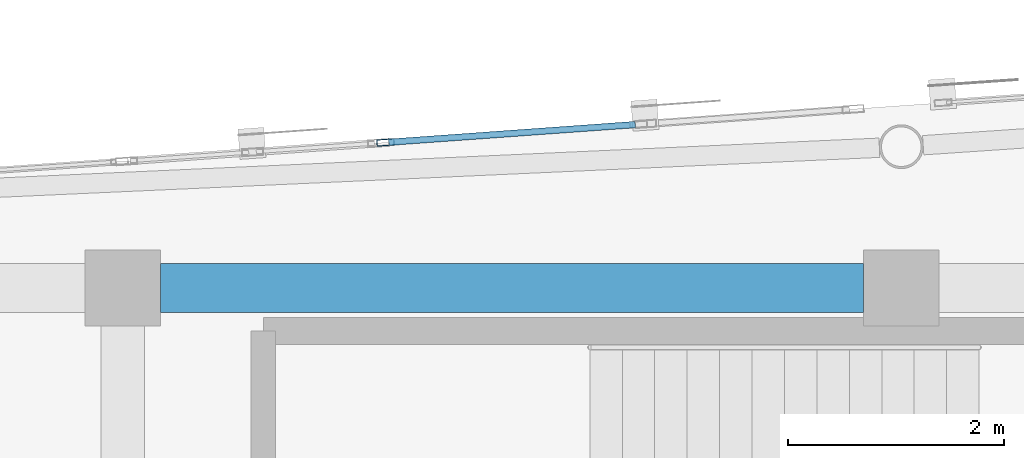
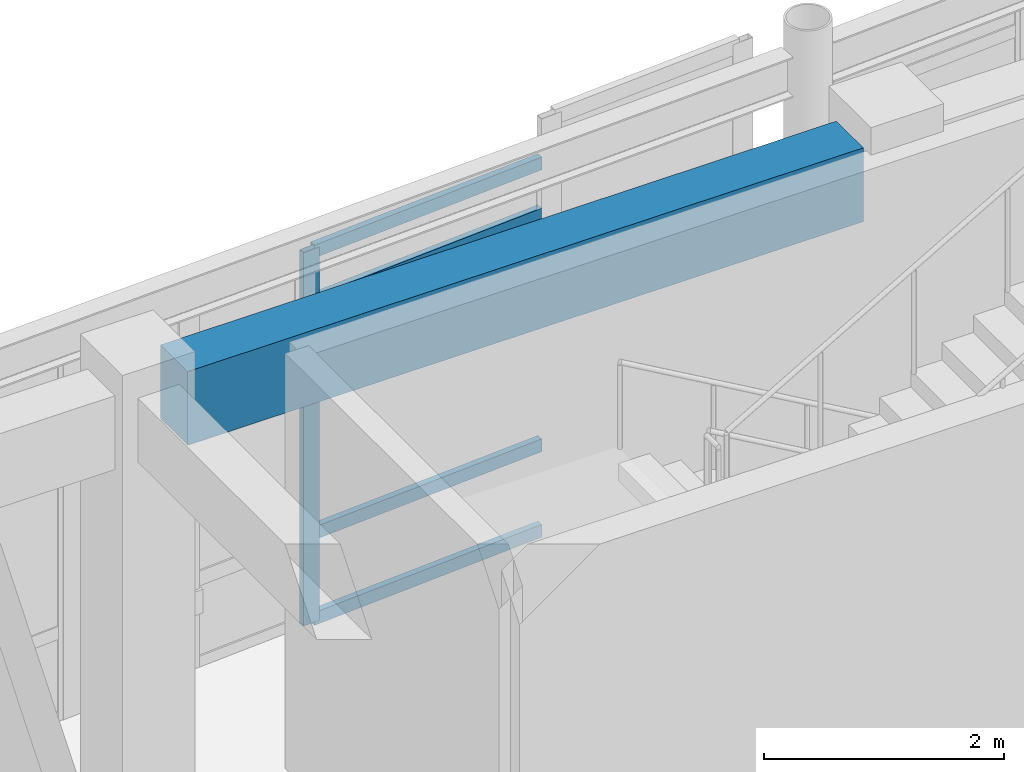
# One storey, part 30 of 106: 5 members, 1 beam, 1 element without a shape of its own.
"""IFC4 building model written with IfcOpenShell, lengths in metres."""

from ifc_helpers import new_model, si_unit, direction, frame, origin, origin_2d, place, context, subcontext, project, spatial, rectangle, hollow_rectangle, extrude, material, layer, layer_set, material_profile, profile_set, type_object, element, aggregate, save


model = new_model("IFC4")

# Units and contexts
model_context = context("Model", 3, precision=1e-05, world=origin(), true_north=direction((0.0, 1.0)))
body_context = subcontext(model_context, "Body", "Model", "MODEL_VIEW")
ifc_project = project(units=[si_unit("LENGTHUNIT", "METRE"), si_unit("AREAUNIT", "SQUARE_METRE"), si_unit("VOLUMEUNIT", "CUBIC_METRE"), si_unit("PLANEANGLEUNIT", "RADIAN"), si_unit("MASSUNIT", "GRAM", prefix="KILO")], contexts=[model_context])

# Site, building, storey
site_placement = place(None, origin())
site = spatial("IfcSite", under=ifc_project, at=site_placement, CompositionType="ELEMENT")
building_placement = place(site_placement, origin())
building = spatial("IfcBuilding", under=site, at=building_placement, Name="Carrowvane Square Congress Hotel", CompositionType="ELEMENT")
storey_placement = place(building_placement, frame((0.0, 0.0, 10.5)))
storey = spatial("IfcBuildingStorey", under=building, at=storey_placement, Name="L02", CompositionType="ELEMENT", Elevation=10.5)

# Beam
ifc_material_1 = material(Name="Concrete C35/45", Category="concrete")
ifc_material_profile_1 = material_profile(ifc_material_1, rectangle(XDim=0.449951171875, YDim=0.75, at=origin_2d()), Name="RC 450x750")
ifc_profile_set_1 = profile_set([ifc_material_profile_1], Name="Concrete C35/45")
beam_type = type_object("IfcBeamType", Name="BM-RC-450x750", PredefinedType="USERDEFINED", material=ifc_profile_set_1)
beam_placement = place(storey_placement, frame((55.14990234375, 113.39990234375, 3.844970703125), z_axis=(1.0, 0.0, 0.0), x_axis=(0.0, 1.0, 0.0)))
element("IfcBeam", 1, at=beam_placement, inside=storey, type_object=beam_type, Name="L03 girder R/7-8", ObjectType="GIRDER", PredefinedType="USERDEFINED", context=body_context, shape_type="SweptSolid", body=[
    extrude(rectangle(XDim=0.449951171875, YDim=0.75, at=origin_2d()), origin(), (0.0, 0.0, 1.0), 6.5),
])

# Curtain wall, members
ifc_material_2 = material(Name="Anodised aluminium", Category="aluminium")
ifc_layer = layer(ifc_material_2, 0.18603515625)
ifc_layer_set = layer_set([ifc_layer], Name="Anodised aluminium")
curtain_wall_type = type_object("IfcCurtainWallType", Name="CW-SYS-3", PredefinedType="NOTDEFINED", material=ifc_layer_set)
curtain_wall_placement = place(storey_placement, origin())
curtain_wall = element("IfcCurtainWall", 2, at=curtain_wall_placement, inside=storey, type_object=curtain_wall_type, Name="L02 unitised curtain wall 138", PredefinedType="NOTDEFINED")
ifc_material_3 = material(Name="Anodised aluminium", Category="aluminium")
ifc_material_profile_2 = material_profile(ifc_material_3, hollow_rectangle(XDim=0.06005859375, YDim=0.159912109375, WallThickness=0.00390625, at=origin_2d()), Name="CW-ML 60x160x4")
ifc_profile_set_2 = profile_set([ifc_material_profile_2], Name="Anodised aluminium")
member_type_1 = type_object("IfcMemberType", Name="CW-MUL-1", PredefinedType="MULLION", material=ifc_profile_set_2)
member_1_placement = place(storey_placement, frame((57.22998046875, 114.745361328125, 0.0), z_axis=(0.0, 0.0, 1.0), x_axis=(-0.071531759512, 0.997438322595, 0.0)))
member_1 = element("IfcMember", 3, at=member_1_placement, type_object=member_type_1, Name="CW-3 mullion 1", PredefinedType="MULLION", context=body_context, shape_type="SweptSolid", body=[
    extrude(hollow_rectangle(XDim=0.06005859375, YDim=0.159912109375, WallThickness=0.00390625, at=origin_2d()), origin(), (0.0, 0.0, 1.0), 3.795654296875),
])
ifc_material_4 = material(Name="Anodised aluminium", Category="aluminium")
ifc_material_profile_3 = material_profile(ifc_material_4, hollow_rectangle(XDim=0.06005859375, YDim=0.1298828125, WallThickness=0.00390625, at=origin_2d()), Name="CW-TR 60x130x4")
ifc_profile_set_3 = profile_set([ifc_material_profile_3], Name="Anodised aluminium")
member_type_2 = type_object("IfcMemberType", Name="CW-TRN-1", PredefinedType="USERDEFINED", material=ifc_profile_set_3)
member_2_placement = place(storey_placement, frame((57.259765625, 114.747314453125, 0.030029296875), z_axis=(0.997437516621, 0.071542997124, 0.0), x_axis=(-0.071542997124, 0.997437516621, 0.0)))
member_2 = element("IfcMember", 4, at=member_2_placement, type_object=member_type_2, Name="CW-3 transom 1.1", ObjectType="TRANSOM", PredefinedType="USERDEFINED", context=body_context, shape_type="SweptSolid", body=[
    extrude(hollow_rectangle(XDim=0.06005859375, YDim=0.1298828125, WallThickness=0.00390625, at=origin_2d()), origin(), (0.0, 0.0, 1.0), 2.286376953125),
])
member_3_placement = place(storey_placement, frame((57.259765625, 114.747314453125, 0.89990234375), z_axis=(0.997437516621, 0.071542997124, 0.0), x_axis=(-0.071542997124, 0.997437516621, 0.0)))
member_3 = element("IfcMember", 5, at=member_3_placement, type_object=member_type_2, Name="CW-3 transom 1.2", ObjectType="TRANSOM", PredefinedType="USERDEFINED", context=body_context, shape_type="SweptSolid", body=[
    extrude(hollow_rectangle(XDim=0.06005859375, YDim=0.1298828125, WallThickness=0.00390625, at=origin_2d()), origin(), (0.0, 0.0, 1.0), 2.286376953125),
])
member_4_placement = place(storey_placement, frame((57.259765625, 114.747314453125, 3.24560546875), z_axis=(0.997437516621, 0.071542997124, 0.0), x_axis=(-0.071542997124, 0.997437516621, 0.0)))
member_4 = element("IfcMember", 6, at=member_4_placement, type_object=member_type_2, Name="CW-3 transom 1.3", ObjectType="TRANSOM", PredefinedType="USERDEFINED", context=body_context, shape_type="SweptSolid", body=[
    extrude(hollow_rectangle(XDim=0.06005859375, YDim=0.1298828125, WallThickness=0.00390625, at=origin_2d()), origin(), (0.0, 0.0, 1.0), 2.286376953125),
])
member_5_placement = place(storey_placement, frame((57.259765625, 114.747314453125, 3.765625), z_axis=(0.997437516621, 0.071542997124, 0.0), x_axis=(-0.071542997124, 0.997437516621, 0.0)))
member_5 = element("IfcMember", 7, at=member_5_placement, type_object=member_type_2, Name="CW-3 transom 1.4", ObjectType="TRANSOM", PredefinedType="USERDEFINED", context=body_context, shape_type="SweptSolid", body=[
    extrude(hollow_rectangle(XDim=0.06005859375, YDim=0.1298828125, WallThickness=0.00390625, at=origin_2d()), origin(), (0.0, 0.0, 1.0), 2.286376953125),
])
aggregate(curtain_wall, [member_1, member_2, member_3, member_4, member_5])

save(model, "model.ifc")
